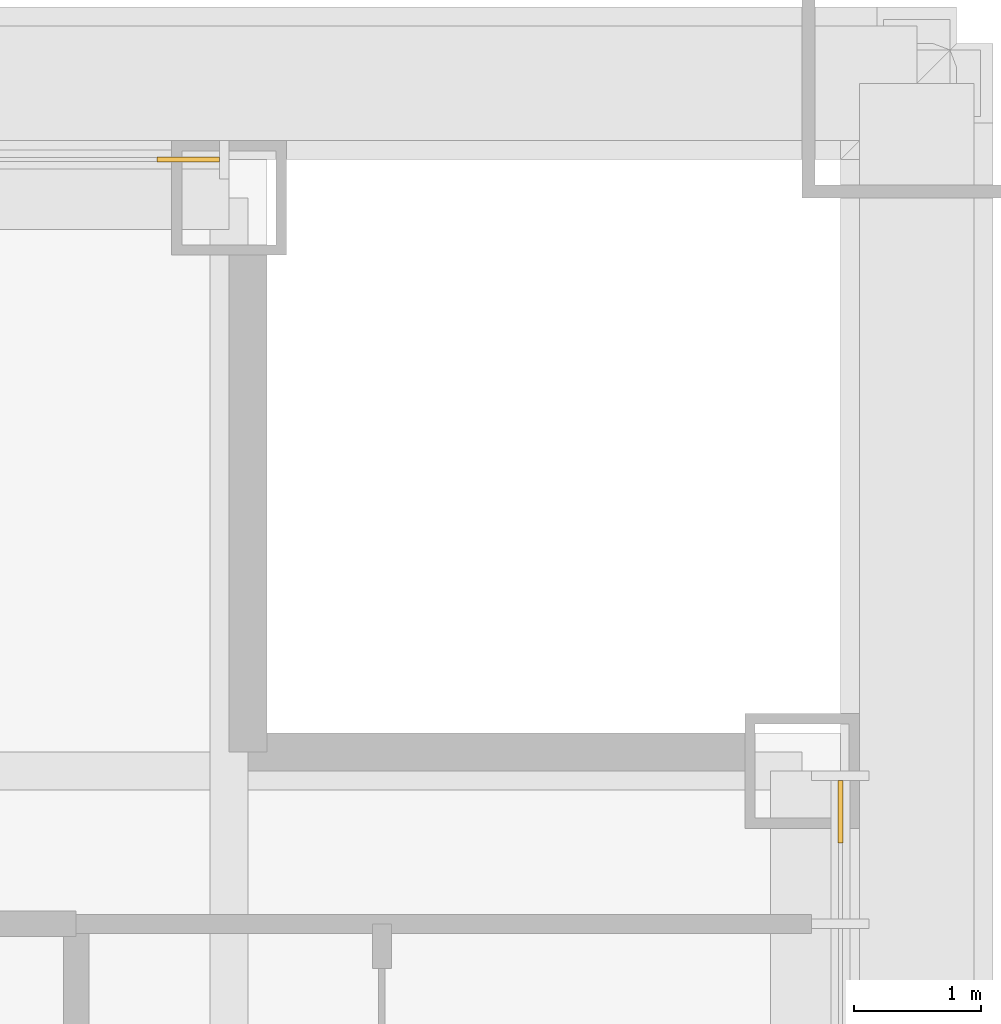
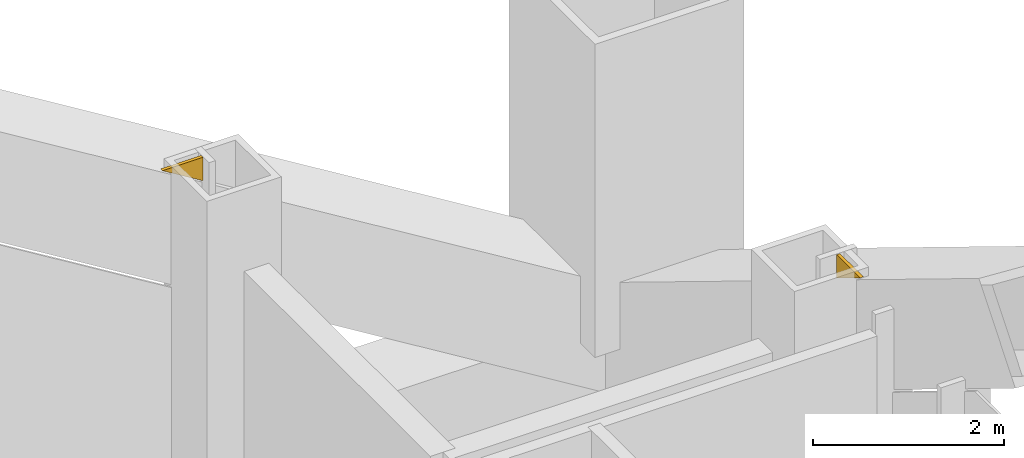
# One storey, part 21 of 21: 2 coverings.
"""IFC4 building model written with IfcOpenShell, lengths in metres."""

from ifc_helpers import new_model, si_unit, direction, frame, origin, place, context, subcontext, project, spatial, polyline, outline, extrude, material, layer, layer_set, type_object, element, save


model = new_model("IFC4")

# Units and contexts
model_context = context("Model", 3, precision=1e-05, world=origin(), true_north=direction((0.0, 1.0)))
body_context = subcontext(model_context, "Body", "Model", "MODEL_VIEW")
ifc_project = project(units=[si_unit("LENGTHUNIT", "METRE"), si_unit("AREAUNIT", "SQUARE_METRE"), si_unit("VOLUMEUNIT", "CUBIC_METRE"), si_unit("PLANEANGLEUNIT", "RADIAN"), si_unit("MASSUNIT", "GRAM", prefix="KILO")], contexts=[model_context])

# Site, building, storey
site_placement = place(None, origin())
site = spatial("IfcSite", under=ifc_project, at=site_placement, CompositionType="ELEMENT")
building_placement = place(site_placement, origin())
building = spatial("IfcBuilding", under=site, at=building_placement, Name="Malebo Sky Hospital", CompositionType="ELEMENT")
storey_placement = place(building_placement, frame((0.0, 0.0, 31.0)))
storey = spatial("IfcBuildingStorey", under=building, at=storey_placement, Name="L06", CompositionType="ELEMENT", Elevation=31.0)

# Coverings
ifc_material = material(Name="Anodised aluminium, natural silver insulated infill panel", Category="aluminium")
ifc_layer = layer(ifc_material, 0.0400390625)
ifc_layer_set = layer_set([ifc_layer], Name="BRACE INFILL PANEL 40")
covering_type = type_object("IfcCoveringType", Name="BRACE INFILL PANEL 40", PredefinedType="CLADDING", material=ifc_layer_set)
covering_1_placement = place(storey_placement, frame((80.38037109375, 87.5, 3.690185546875), z_axis=(0.0, 0.0, 1.0), x_axis=(1.0, 0.0, 0.0)))
element("IfcCovering", 1, at=covering_1_placement, inside=storey, type_object=covering_type, Name="Brace infill panel 15.1", PredefinedType="CLADDING", context=body_context, shape_type="SweptSolid", body=[
    extrude(outline(polyline([(0.244384765625, 0.0), (0.244384765625, 0.2998046875), (-0.24462890625, 0.2998046875), (0.244384765625, 0.0)])), frame((0.0, 0.02001953125, 0.0), z_axis=(0.0, -1.0, 0.0), x_axis=(1.0, 0.0, 0.0)), (0.0, 0.0, 1.0), 0.0400390625),
])
covering_2_placement = place(storey_placement, frame((85.5, 82.38037109375, 3.690185546875), z_axis=(0.0, 0.0, 1.0), x_axis=(0.0, -1.0, 0.0)))
element("IfcCovering", 2, at=covering_2_placement, inside=storey, type_object=covering_type, Name="Brace infill panel 1.1", PredefinedType="CLADDING", context=body_context, shape_type="SweptSolid", body=[
    extrude(outline(polyline([(-0.24462890625, 0.0), (0.244384765625, 0.2998046875), (-0.24462890625, 0.2998046875), (-0.24462890625, 0.0)])), frame((0.0, 0.02001953125, 0.0), z_axis=(0.0, -1.0, 0.0), x_axis=(1.0, 0.0, 0.0)), (0.0, 0.0, 1.0), 0.0400390625),
])

save(model, "model.ifc")
